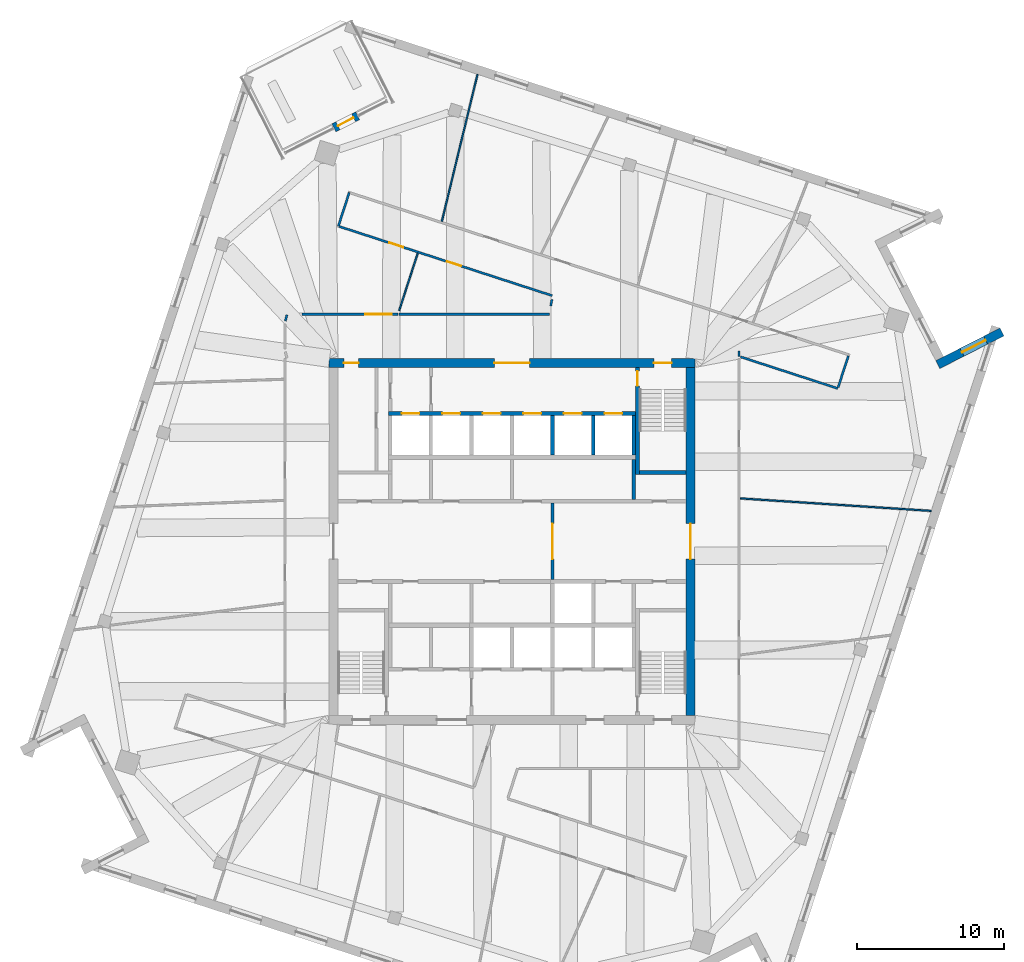
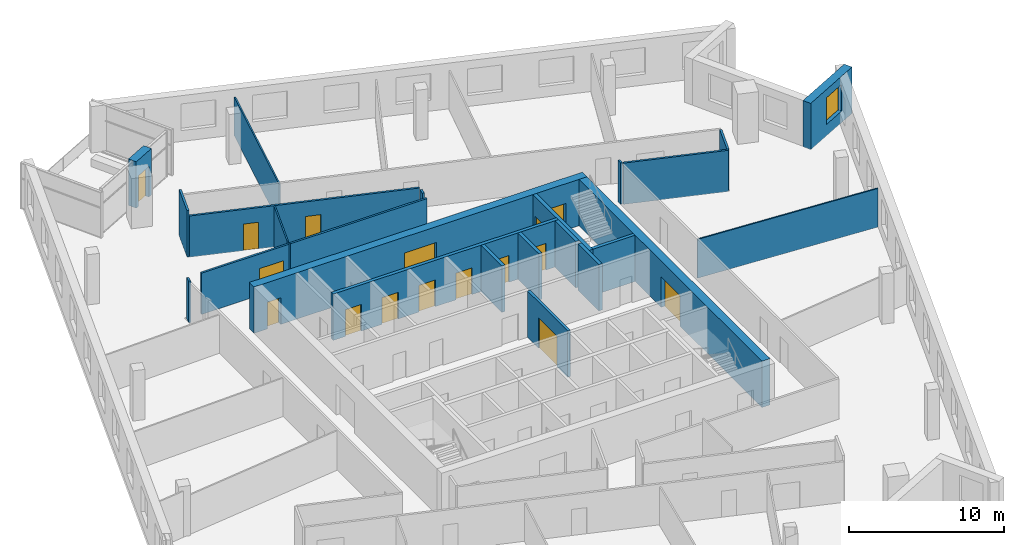
# One storey, part 10 of 13: 24 walls, 16 doors, 1 window, 17 openings.
"""IFC4 building model written with IfcOpenShell, lengths in metres."""

from ifc_helpers import new_model, si_unit, direction, frame, frame_2d, origin, place, context, subcontext, project, spatial, rectangle, extrude, material, layer, layer_set, type_object, element, fill, save


model = new_model("IFC4")

# Units and contexts
model_context = context("Model", 3, precision=1e-05, world=origin(), true_north=direction((0.0, 1.0)))
body_context = subcontext(model_context, "Body", "Model", "MODEL_VIEW")
ifc_project = project(units=[si_unit("LENGTHUNIT", "METRE"), si_unit("AREAUNIT", "SQUARE_METRE"), si_unit("VOLUMEUNIT", "CUBIC_METRE"), si_unit("PLANEANGLEUNIT", "RADIAN"), si_unit("MASSUNIT", "GRAM", prefix="KILO")], contexts=[model_context])

# Site, building, storey
site_placement = place(None, origin())
site = spatial("IfcSite", under=ifc_project, at=site_placement, CompositionType="ELEMENT")
building_placement = place(site_placement, origin())
building = spatial("IfcBuilding", under=site, at=building_placement, Name="Dilmun Exchange Tower", CompositionType="ELEMENT")
storey_placement = place(building_placement, frame((0.0, 0.0, 316.5)))
storey = spatial("IfcBuildingStorey", under=building, at=storey_placement, Name="L75", CompositionType="ELEMENT", Elevation=316.5)

# Wall, opening, door
ifc_material_1 = material(Name="Concrete C40/50", Category="concrete")
ifc_layer_1 = layer(ifc_material_1, 0.199951171875)
ifc_layer_set_1 = layer_set([ifc_layer_1], Name="Concrete C40/50")
wall_type_1 = type_object("IfcWallType", Name="Core partition wall 200", PredefinedType="PARTITIONING", material=ifc_layer_set_1)
wall_1_placement = place(storey_placement, frame((2.75, -2.594970703125, 0.0), z_axis=(0.0, 0.0, 1.0), x_axis=(0.0, 1.0, 0.0)))
wall_1 = element("IfcWall", 1, at=wall_1_placement, inside=storey, type_object=wall_type_1, Name="L75 core partition wall 12", PredefinedType="PARTITIONING", context=body_context, shape_type="SweptSolid", body=[
    extrude(rectangle(XDim=5.18994140625, YDim=0.199951171875, at=frame_2d((2.594970703125, 0.0))), origin(), (0.0, 0.0, 1.0), 3.64990234375),
])
opening_1_placement = place(wall_1_placement, frame((1.39501953125, 0.0, 0.0)))
opening_1 = element("IfcOpeningElement", 2, at=opening_1_placement, cuts=wall_1, Name="Opening CD1", PredefinedType="OPENING", context=body_context, shape_type="SweptSolid", body=[
    extrude(rectangle(XDim=2.39990234375, YDim=2.39990234375, at=frame_2d((1.199951171875, 1.199951171875))), frame((0.0, 0.10986328125, 0.0), z_axis=(0.0, -1.0, 0.0), x_axis=(1.0, 0.0, 0.0)), (0.0, 0.0, 1.0), 0.219970703125),
])
ifc_material_2 = material(Name="Fire-rated steel door set", Category="steel")
door_type_1 = type_object("IfcDoorType", Name="Core lobby door 2400x2400", OperationType="DOUBLE_DOOR_DOUBLE_SWING", PredefinedType="DOOR", material=ifc_material_2)
door_1_placement = place(opening_1_placement, origin())
door_1 = element("IfcDoor", 3, at=door_1_placement, inside=storey, type_object=door_type_1, Name="L75 door Lift lobby east", OperationType="DOUBLE_DOOR_DOUBLE_SWING", OverallHeight=2.39990234375, OverallWidth=2.39990234375, PredefinedType="DOOR", context=body_context, shape_type="SweptSolid", body=[
    extrude(rectangle(XDim=2.39990234375, YDim=2.39990234375, at=frame_2d((1.199951171875, 1.199951171875))), frame((0.0, 0.02490234375, 0.0), z_axis=(0.0, -1.0, 0.0), x_axis=(1.0, 0.0, 0.0)), (0.0, 0.0, 1.0), 0.050048828125),
])
fill(opening_1, door_1)

# Wall
ifc_layer_2 = layer(ifc_material_1, 0.25)
ifc_layer_set_2 = layer_set([ifc_layer_2], Name="Concrete C40/50")
wall_type_2 = type_object("IfcWallType", Name="Core partition wall 250", PredefinedType="PARTITIONING", material=ifc_layer_set_2)
wall_2_placement = place(storey_placement, frame((8.25, 2.85498046875, 0.0), z_axis=(0.0, 0.0, 1.0), x_axis=(0.0, 1.0, 0.0)))
element("IfcWall", 4, at=wall_2_placement, inside=storey, type_object=wall_type_2, Name="L75 core partition wall 17", PredefinedType="PARTITIONING", context=body_context, shape_type="SweptSolid", body=[
    extrude(rectangle(XDim=2.68994140625, YDim=0.25, at=frame_2d((1.344970703125, 0.0))), origin(), (0.0, 0.0, 1.0), 3.64990234375),
])

# Wall, openings, doors
ifc_material_3 = material(Name="Concrete C50/60", Category="concrete")
ifc_layer_3 = layer(ifc_material_3, 0.60009765625)
ifc_layer_set_3 = layer_set([ifc_layer_3], Name="Concrete C50/60")
wall_type_3 = type_object("IfcWallType", Name="Core shear wall 600 Concrete C50/60", PredefinedType="SHEAR", material=ifc_layer_set_3)
wall_3_placement = place(storey_placement, frame((-12.39990234375, 12.10009765625, 0.0), z_axis=(0.0, 0.0, 1.0), x_axis=(1.0, 0.0, 0.0)))
wall_3 = element("IfcWall", 5, at=wall_3_placement, inside=storey, type_object=wall_type_3, Name="L75 core shear wall N", PredefinedType="SHEAR", context=body_context, shape_type="SweptSolid", body=[
    extrude(rectangle(XDim=24.7998046875, YDim=0.60009765625, at=frame_2d((12.39990234375, 0.0))), origin(), (0.0, 0.0, 1.0), 3.64990234375),
])
opening_2_placement = place(wall_3_placement, frame((11.199951171875, 0.0, 0.0)))
opening_2 = element("IfcOpeningElement", 6, at=opening_2_placement, cuts=wall_3, Name="Opening CD1", PredefinedType="OPENING", context=body_context, shape_type="SweptSolid", body=[
    extrude(rectangle(XDim=2.39990234375, YDim=2.39990234375, at=frame_2d((1.199951171875, 1.199951171875))), frame((0.0, 0.31005859375, 0.0), z_axis=(0.0, -1.0, 0.0), x_axis=(1.0, 0.0, 0.0)), (0.0, 0.0, 1.0), 0.6201171875),
])
opening_3_placement = place(wall_3_placement, frame((22.02490234375, 0.0, 0.0)))
opening_3 = element("IfcOpeningElement", 7, at=opening_3_placement, cuts=wall_3, Name="Opening CD3", PredefinedType="OPENING", context=body_context, shape_type="SweptSolid", body=[
    extrude(rectangle(XDim=1.199951171875, YDim=2.10009765625, at=frame_2d((0.60009765625, 1.050048828125))), frame((0.0, 0.31005859375, 0.0), z_axis=(0.0, -1.0, 0.0), x_axis=(1.0, 0.0, 0.0)), (0.0, 0.0, 1.0), 0.6201171875),
])
opening_4_placement = place(wall_3_placement, frame((1.0, 0.0, 0.0)))
opening_4 = element("IfcOpeningElement", 8, at=opening_4_placement, cuts=wall_3, Name="Opening CD4", PredefinedType="OPENING", context=body_context, shape_type="SweptSolid", body=[
    extrude(rectangle(XDim=1.0, YDim=2.10009765625, at=frame_2d((0.5, 1.050048828125))), frame((0.0, 0.31005859375, 0.0), z_axis=(0.0, -1.0, 0.0), x_axis=(1.0, 0.0, 0.0)), (0.0, 0.0, 1.0), 0.6201171875),
])
door_2_placement = place(opening_2_placement, origin())
door_2 = element("IfcDoor", 9, at=door_2_placement, inside=storey, type_object=door_type_1, Name="L75 door North lift lobby", OperationType="SINGLE_SWING_LEFT", OverallHeight=2.39990234375, OverallWidth=2.39990234375, PredefinedType="DOOR", context=body_context, shape_type="SweptSolid", body=[
    extrude(rectangle(XDim=2.39990234375, YDim=2.39990234375, at=frame_2d((1.199951171875, 1.199951171875))), frame((0.0, 0.02490234375, 0.0), z_axis=(0.0, -1.0, 0.0), x_axis=(1.0, 0.0, 0.0)), (0.0, 0.0, 1.0), 0.050048828125),
])
fill(opening_2, door_2)
door_type_2 = type_object("IfcDoorType", Name="Core room door 1000x2100", OperationType="SINGLE_SWING_LEFT", PredefinedType="DOOR", material=ifc_material_2)
door_3_placement = place(opening_4_placement, origin())
door_3 = element("IfcDoor", 10, at=door_3_placement, inside=storey, type_object=door_type_2, Name="L75 door North-west core rooms", OperationType="SINGLE_SWING_LEFT", OverallHeight=2.10009765625, OverallWidth=1.0, PredefinedType="DOOR", context=body_context, shape_type="SweptSolid", body=[
    extrude(rectangle(XDim=1.0, YDim=2.10009765625, at=frame_2d((0.5, 1.050048828125))), frame((0.0, 0.02490234375, 0.0), z_axis=(0.0, -1.0, 0.0), x_axis=(1.0, 0.0, 0.0)), (0.0, 0.0, 1.0), 0.050048828125),
])
fill(opening_4, door_3)
door_type_3 = type_object("IfcDoorType", Name="Stair exit door 1200x2100", OperationType="SINGLE_SWING_LEFT", PredefinedType="DOOR", material=ifc_material_2)
door_4_placement = place(opening_3_placement, origin())
door_4 = element("IfcDoor", 11, at=door_4_placement, inside=storey, type_object=door_type_3, Name="L75 door Stair ST1", OperationType="SINGLE_SWING_LEFT", OverallHeight=2.10009765625, OverallWidth=1.199951171875, PredefinedType="DOOR", context=body_context, shape_type="SweptSolid", body=[
    extrude(rectangle(XDim=1.199951171875, YDim=2.10009765625, at=frame_2d((0.60009765625, 1.050048828125))), frame((0.0, 0.02490234375, 0.0), z_axis=(0.0, -1.0, 0.0), x_axis=(1.0, 0.0, 0.0)), (0.0, 0.0, 1.0), 0.050048828125),
])
fill(opening_3, door_4)

# Wall, opening, door
wall_4_placement = place(storey_placement, frame((12.10009765625, -11.800048828125, 0.0), z_axis=(0.0, 0.0, 1.0), x_axis=(0.0, 1.0, 0.0)))
wall_4 = element("IfcWall", 12, at=wall_4_placement, inside=storey, type_object=wall_type_3, Name="L75 core shear wall E", PredefinedType="SHEAR", context=body_context, shape_type="SweptSolid", body=[
    extrude(rectangle(XDim=23.60009765625, YDim=0.60009765625, at=frame_2d((11.800048828125, 0.0))), origin(), (0.0, 0.0, 1.0), 3.64990234375),
])
opening_5_placement = place(wall_4_placement, frame((10.60009765625, 0.0, 0.0)))
opening_5 = element("IfcOpeningElement", 13, at=opening_5_placement, cuts=wall_4, Name="Opening CD1", PredefinedType="OPENING", context=body_context, shape_type="SweptSolid", body=[
    extrude(rectangle(XDim=2.39990234375, YDim=2.39990234375, at=frame_2d((1.199951171875, 1.199951171875))), frame((0.0, 0.31005859375, 0.0), z_axis=(0.0, -1.0, 0.0), x_axis=(1.0, 0.0, 0.0)), (0.0, 0.0, 1.0), 0.6201171875),
])
door_5_placement = place(opening_5_placement, origin())
door_5 = element("IfcDoor", 14, at=door_5_placement, inside=storey, type_object=door_type_1, Name="L75 door Central lift lobby", OperationType="SINGLE_SWING_LEFT", OverallHeight=2.39990234375, OverallWidth=2.39990234375, PredefinedType="DOOR", context=body_context, shape_type="SweptSolid", body=[
    extrude(rectangle(XDim=2.39990234375, YDim=2.39990234375, at=frame_2d((1.199951171875, 1.199951171875))), frame((0.0, 0.02490234375, 0.0), z_axis=(0.0, -1.0, 0.0), x_axis=(1.0, 0.0, 0.0)), (0.0, 0.0, 1.0), 0.050048828125),
])
fill(opening_5, door_5)

# Wall
ifc_material_4 = material(Name="Corridor wall 150")
ifc_layer_4 = layer(ifc_material_4, 0.14990234375)
ifc_layer_set_4 = layer_set([ifc_layer_4], Name="Corridor wall 150")
wall_type_4 = type_object("IfcWallType", Name="Corridor wall 150", PredefinedType="PARTITIONING", material=ifc_layer_set_4)
wall_5_placement = place(storey_placement, frame((-15.263427734375, 15.359619140625, 0.0), z_axis=(0.0, 0.0, 1.0), x_axis=(-0.250064963452, -0.968229060736, 0.0)))
element("IfcWall", 15, at=wall_5_placement, inside=storey, type_object=wall_type_4, Name="Corridor wall", PredefinedType="PARTITIONING", context=body_context, shape_type="SweptSolid", body=[
    extrude(rectangle(XDim=0.4345703125, YDim=0.14990234375, at=frame_2d((0.21728515625, 0.0))), origin(), (0.0, 0.0, 1.0), 3.25),
])

# Wall, opening, door
wall_6_placement = place(storey_placement, frame((-14.250244140625, 15.39990234375, 0.0), z_axis=(0.0, 0.0, 1.0), x_axis=(1.0, 0.0, 0.0)))
wall_6 = element("IfcWall", 16, at=wall_6_placement, inside=storey, type_object=wall_type_4, Name="Corridor wall", PredefinedType="PARTITIONING", context=body_context, shape_type="SweptSolid", body=[
    extrude(rectangle(XDim=6.51513671875, YDim=0.14990234375, at=frame_2d((3.257568359375, 0.0))), origin(), (0.0, 0.0, 1.0), 3.25),
])
opening_6_placement = place(wall_6_placement, frame((4.300048828125, 0.0, 0.0)))
opening_6 = element("IfcOpeningElement", 17, at=opening_6_placement, cuts=wall_6, Name="Opening TF75-D06", PredefinedType="OPENING", context=body_context, shape_type="SweptSolid", body=[
    extrude(rectangle(XDim=1.800048828125, YDim=2.10009765625, at=frame_2d((0.89990234375, 1.050048828125))), frame((0.0, 0.0849609375, 0.0), z_axis=(0.0, -1.0, 0.0), x_axis=(1.0, 0.0, 0.0)), (0.0, 0.0, 1.0), 0.169921875),
])
ifc_material_5 = material(Name="Fire door pair 1800 x 2100")
door_type_4 = type_object("IfcDoorType", Name="Fire door pair 1800 x 2100", OperationType="NOTDEFINED", PredefinedType="DOOR", material=ifc_material_5)
door_6_placement = place(opening_6_placement, origin())
door_6 = element("IfcDoor", 18, at=door_6_placement, inside=storey, type_object=door_type_4, Name="Door TF75-D06", OperationType="DOUBLE_DOOR_SINGLE_SWING", OverallHeight=2.10009765625, OverallWidth=1.800048828125, PredefinedType="DOOR", context=body_context, shape_type="SweptSolid", body=[
    extrude(rectangle(XDim=1.800048828125, YDim=2.10009765625, at=frame_2d((0.89990234375, 1.050048828125))), frame((0.0, 0.02490234375, 0.0), z_axis=(0.0, -1.0, 0.0), x_axis=(1.0, 0.0, 0.0)), (0.0, 0.0, 1.0), 0.050048828125),
])
fill(opening_6, door_6)

# Wall
wall_7_placement = place(storey_placement, frame((-11.777099609375, 21.375, 0.0), z_axis=(0.0, 0.0, 1.0), x_axis=(0.309171157328, 0.951006411901, 0.0)))
element("IfcWall", 19, at=wall_7_placement, inside=storey, type_object=wall_type_4, Name="Corridor wall", PredefinedType="PARTITIONING", context=body_context, shape_type="SweptSolid", body=[
    extrude(rectangle(XDim=2.400634765625, YDim=0.14990234375, at=frame_2d((1.2001953125, 0.0))), origin(), (0.0, 0.0, 1.0), 3.64990234375),
])

# Wall, openings, doors
wall_8_placement = place(storey_placement, frame((-11.705810546875, 21.351806640625, 0.0), z_axis=(0.0, 0.0, 1.0), x_axis=(0.951071532065, -0.308970776767, 0.0)))
wall_8 = element("IfcWall", 20, at=wall_8_placement, inside=storey, type_object=wall_type_4, Name="Corridor wall", PredefinedType="PARTITIONING", context=body_context, shape_type="SweptSolid", body=[
    extrude(rectangle(XDim=15.178466796875, YDim=0.14990234375, at=frame_2d((7.58935546875, 0.0))), origin(), (0.0, 0.0, 1.0), 3.25),
])
opening_7_placement = place(wall_8_placement, frame((3.550048828125, 0.0, 0.0)))
opening_7 = element("IfcOpeningElement", 21, at=opening_7_placement, cuts=wall_8, Name="Opening TF75-D07", PredefinedType="OPENING", context=body_context, shape_type="SweptSolid", body=[
    extrude(rectangle(XDim=1.0, YDim=2.10009765625, at=frame_2d((0.5, 1.050048828125))), frame((0.0, 0.0849609375, 0.0), z_axis=(0.0, -1.0, 0.0), x_axis=(1.0, 0.0, 0.0)), (0.0, 0.0, 1.0), 0.169921875),
])
opening_8_placement = place(wall_8_placement, frame((7.665283203125, 0.0, 0.0)))
opening_8 = element("IfcOpeningElement", 22, at=opening_8_placement, cuts=wall_8, Name="Opening TF75-D10", PredefinedType="OPENING", context=body_context, shape_type="SweptSolid", body=[
    extrude(rectangle(XDim=1.0, YDim=2.10009765625, at=frame_2d((0.5, 1.050048828125))), frame((0.0, 0.0849609375, 0.0), z_axis=(0.0, -1.0, 0.0), x_axis=(1.0, 0.0, 0.0)), (0.0, 0.0, 1.0), 0.169921875),
])
ifc_material_6 = material(Name="Fire door 1000 x 2100")
door_type_5 = type_object("IfcDoorType", Name="Fire door 1000 x 2100", OperationType="NOTDEFINED", PredefinedType="DOOR", material=ifc_material_6)
door_7_placement = place(opening_7_placement, frame((1.0, 0.0, 0.0), z_axis=(0.0, 0.0, 1.0), x_axis=(-1.0, 0.0, 0.0)))
door_7 = element("IfcDoor", 23, at=door_7_placement, inside=storey, type_object=door_type_5, Name="Door TF75-D07", OperationType="SINGLE_SWING_RIGHT", OverallHeight=2.10009765625, OverallWidth=1.0, PredefinedType="DOOR", context=body_context, shape_type="SweptSolid", body=[
    extrude(rectangle(XDim=1.0, YDim=2.10009765625, at=frame_2d((0.5, 1.050048828125))), frame((0.0, 0.02490234375, 0.0), z_axis=(0.0, -1.0, 0.0), x_axis=(1.0, 0.0, 0.0)), (0.0, 0.0, 1.0), 0.050048828125),
])
fill(opening_7, door_7)
door_8_placement = place(opening_8_placement, frame((1.0, 0.0, 0.0), z_axis=(0.0, 0.0, 1.0), x_axis=(-1.0, 0.0, 0.0)))
door_8 = element("IfcDoor", 24, at=door_8_placement, inside=storey, type_object=door_type_5, Name="Door TF75-D10", OperationType="SINGLE_SWING_RIGHT", OverallHeight=2.10009765625, OverallWidth=1.0, PredefinedType="DOOR", context=body_context, shape_type="SweptSolid", body=[
    extrude(rectangle(XDim=1.0, YDim=2.10009765625, at=frame_2d((0.5, 1.050048828125))), frame((0.0, 0.02490234375, 0.0), z_axis=(0.0, -1.0, 0.0), x_axis=(1.0, 0.0, 0.0)), (0.0, 0.0, 1.0), 0.050048828125),
])
fill(opening_8, door_8)

# Walls
wall_9_placement = place(storey_placement, frame((-7.64990234375, 15.39990234375, 0.0), z_axis=(0.0, 0.0, 1.0), x_axis=(1.0, 0.0, 0.0)))
element("IfcWall", 25, at=wall_9_placement, inside=storey, type_object=wall_type_4, Name="Corridor wall", PredefinedType="PARTITIONING", context=body_context, shape_type="SweptSolid", body=[
    extrude(rectangle(XDim=10.179931640625, YDim=0.14990234375, at=frame_2d((5.08984375, 0.0))), origin(), (0.0, 0.0, 1.0), 3.25),
])
wall_10_placement = place(storey_placement, frame((2.70751953125, 16.400390625, 0.0), z_axis=(0.0, 0.0, 1.0), x_axis=(-0.193004252624, -0.981197920131, 0.0)))
element("IfcWall", 26, at=wall_10_placement, inside=storey, type_object=wall_type_4, Name="Corridor wall", PredefinedType="PARTITIONING", context=body_context, shape_type="SweptSolid", body=[
    extrude(rectangle(XDim=0.437744140625, YDim=0.14990234375, at=frame_2d((0.21875, 0.0))), origin(), (0.0, 0.0, 1.0), 3.25),
])
wall_11_placement = place(storey_placement, frame((15.4033203125, 12.89990234375, 0.0), z_axis=(0.0, 0.0, 1.0), x_axis=(-0.006877416439, -0.999976350292, 0.0)))
element("IfcWall", 27, at=wall_11_placement, inside=storey, type_object=wall_type_4, Name="Corridor wall", PredefinedType="PARTITIONING", context=body_context, shape_type="SweptSolid", body=[
    extrude(rectangle(XDim=0.35498046875, YDim=0.14990234375, at=frame_2d((0.177490234375, 0.0))), origin(), (0.0, 0.0, 1.0), 3.25),
])
wall_12_placement = place(storey_placement, frame((15.49853515625, 12.51318359375, 0.0), z_axis=(0.0, 0.0, 1.0), x_axis=(0.951067964753, -0.308981757424, 0.0)))
element("IfcWall", 28, at=wall_12_placement, inside=storey, type_object=wall_type_4, Name="Corridor wall", PredefinedType="PARTITIONING", context=body_context, shape_type="SweptSolid", body=[
    extrude(rectangle(XDim=6.9326171875, YDim=0.14990234375, at=frame_2d((3.46630859375, 0.0))), origin(), (0.0, 0.0, 1.0), 3.25),
])
wall_13_placement = place(storey_placement, frame((22.115234375, 10.4423828125, 0.0), z_axis=(0.0, 0.0, 1.0), x_axis=(0.309186681348, 0.951001364919, 0.0)))
element("IfcWall", 29, at=wall_13_placement, inside=storey, type_object=wall_type_4, Name="Corridor wall", PredefinedType="PARTITIONING", context=body_context, shape_type="SweptSolid", body=[
    extrude(rectangle(XDim=2.24951171875, YDim=0.14990234375, at=frame_2d((1.124755859375, 0.0))), origin(), (0.0, 0.0, 1.0), 3.25),
])

# Wall, openings, doors
ifc_layer_5 = layer(ifc_material_1, 0.25)
ifc_layer_set_5 = layer_set([ifc_layer_5], Name="Concrete C40/50")
wall_type_5 = type_object("IfcWallType", Name="Lift shaft wall 250", PredefinedType="SOLIDWALL", material=ifc_layer_set_5)
wall_14_placement = place(storey_placement, frame((-8.375, 8.675048828125, 0.0), z_axis=(0.0, 0.0, 1.0), x_axis=(1.0, 0.0, 0.0)))
wall_14 = element("IfcWall", 30, at=wall_14_placement, inside=storey, type_object=wall_type_5, Name="L75 lift shaft front wall N2", PredefinedType="SOLIDWALL", context=body_context, shape_type="SweptSolid", body=[
    extrude(rectangle(XDim=16.75, YDim=0.25, at=frame_2d((8.375, 0.0))), origin(), (0.0, 0.0, 1.0), 3.64990234375),
])
opening_9_placement = place(wall_14_placement, frame((0.89990234375, 0.0, 0.0)))
opening_9 = element("IfcOpeningElement", 31, at=opening_9_placement, cuts=wall_14, Name="Opening LD", PredefinedType="OPENING", context=body_context, shape_type="SweptSolid", body=[
    extrude(rectangle(XDim=1.199951171875, YDim=2.10009765625, at=frame_2d((0.60009765625, 1.050048828125))), frame((0.0, 0.135009765625, 0.0), z_axis=(0.0, -1.0, 0.0), x_axis=(1.0, 0.0, 0.0)), (0.0, 0.0, 1.0), 0.27001953125),
])
opening_10_placement = place(wall_14_placement, frame((3.64990234375, 0.0, 0.0)))
opening_10 = element("IfcOpeningElement", 32, at=opening_10_placement, cuts=wall_14, Name="Opening LD", PredefinedType="OPENING", context=body_context, shape_type="SweptSolid", body=[
    extrude(rectangle(XDim=1.199951171875, YDim=2.10009765625, at=frame_2d((0.60009765625, 1.050048828125))), frame((0.0, 0.135009765625, 0.0), z_axis=(0.0, -1.0, 0.0), x_axis=(1.0, 0.0, 0.0)), (0.0, 0.0, 1.0), 0.27001953125),
])
opening_11_placement = place(wall_14_placement, frame((6.39990234375, 0.0, 0.0)))
opening_11 = element("IfcOpeningElement", 33, at=opening_11_placement, cuts=wall_14, Name="Opening LD", PredefinedType="OPENING", context=body_context, shape_type="SweptSolid", body=[
    extrude(rectangle(XDim=1.199951171875, YDim=2.10009765625, at=frame_2d((0.60009765625, 1.050048828125))), frame((0.0, 0.135009765625, 0.0), z_axis=(0.0, -1.0, 0.0), x_axis=(1.0, 0.0, 0.0)), (0.0, 0.0, 1.0), 0.27001953125),
])
opening_12_placement = place(wall_14_placement, frame((9.14990234375, 0.0, 0.0)))
opening_12 = element("IfcOpeningElement", 34, at=opening_12_placement, cuts=wall_14, Name="Opening LD", PredefinedType="OPENING", context=body_context, shape_type="SweptSolid", body=[
    extrude(rectangle(XDim=1.199951171875, YDim=2.10009765625, at=frame_2d((0.60009765625, 1.050048828125))), frame((0.0, 0.135009765625, 0.0), z_axis=(0.0, -1.0, 0.0), x_axis=(1.0, 0.0, 0.0)), (0.0, 0.0, 1.0), 0.27001953125),
])
opening_13_placement = place(wall_14_placement, frame((11.89990234375, 0.0, 0.0)))
opening_13 = element("IfcOpeningElement", 35, at=opening_13_placement, cuts=wall_14, Name="Opening LD", PredefinedType="OPENING", context=body_context, shape_type="SweptSolid", body=[
    extrude(rectangle(XDim=1.199951171875, YDim=2.10009765625, at=frame_2d((0.60009765625, 1.050048828125))), frame((0.0, 0.135009765625, 0.0), z_axis=(0.0, -1.0, 0.0), x_axis=(1.0, 0.0, 0.0)), (0.0, 0.0, 1.0), 0.27001953125),
])
opening_14_placement = place(wall_14_placement, frame((14.64990234375, 0.0, 0.0)))
opening_14 = element("IfcOpeningElement", 36, at=opening_14_placement, cuts=wall_14, Name="Opening LD", PredefinedType="OPENING", context=body_context, shape_type="SweptSolid", body=[
    extrude(rectangle(XDim=1.199951171875, YDim=2.10009765625, at=frame_2d((0.60009765625, 1.050048828125))), frame((0.0, 0.135009765625, 0.0), z_axis=(0.0, -1.0, 0.0), x_axis=(1.0, 0.0, 0.0)), (0.0, 0.0, 1.0), 0.27001953125),
])
door_type_6 = type_object("IfcDoorType", Name="Lift landing door 1200x2100", OperationType="DOUBLE_DOOR_SLIDING", PredefinedType="DOOR", material=ifc_material_2)
door_9_placement = place(opening_9_placement, origin())
door_9 = element("IfcDoor", 37, at=door_9_placement, inside=storey, type_object=door_type_6, Name="L75 landing door HR1", OperationType="DOUBLE_DOOR_SLIDING", OverallHeight=2.10009765625, OverallWidth=1.199951171875, PredefinedType="DOOR", context=body_context, shape_type="SweptSolid", body=[
    extrude(rectangle(XDim=1.199951171875, YDim=2.10009765625, at=frame_2d((0.60009765625, 1.050048828125))), frame((0.0, 0.02490234375, 0.0), z_axis=(0.0, -1.0, 0.0), x_axis=(1.0, 0.0, 0.0)), (0.0, 0.0, 1.0), 0.050048828125),
])
fill(opening_9, door_9)
door_10_placement = place(opening_10_placement, origin())
door_10 = element("IfcDoor", 38, at=door_10_placement, inside=storey, type_object=door_type_6, Name="L75 landing door HR2", OperationType="DOUBLE_DOOR_SLIDING", OverallHeight=2.10009765625, OverallWidth=1.199951171875, PredefinedType="DOOR", context=body_context, shape_type="SweptSolid", body=[
    extrude(rectangle(XDim=1.199951171875, YDim=2.10009765625, at=frame_2d((0.60009765625, 1.050048828125))), frame((0.0, 0.02490234375, 0.0), z_axis=(0.0, -1.0, 0.0), x_axis=(1.0, 0.0, 0.0)), (0.0, 0.0, 1.0), 0.050048828125),
])
fill(opening_10, door_10)
door_11_placement = place(opening_11_placement, origin())
door_11 = element("IfcDoor", 39, at=door_11_placement, inside=storey, type_object=door_type_6, Name="L75 landing door HR3", OperationType="DOUBLE_DOOR_SLIDING", OverallHeight=2.10009765625, OverallWidth=1.199951171875, PredefinedType="DOOR", context=body_context, shape_type="SweptSolid", body=[
    extrude(rectangle(XDim=1.199951171875, YDim=2.10009765625, at=frame_2d((0.60009765625, 1.050048828125))), frame((0.0, 0.02490234375, 0.0), z_axis=(0.0, -1.0, 0.0), x_axis=(1.0, 0.0, 0.0)), (0.0, 0.0, 1.0), 0.050048828125),
])
fill(opening_11, door_11)
door_12_placement = place(opening_12_placement, origin())
door_12 = element("IfcDoor", 40, at=door_12_placement, inside=storey, type_object=door_type_6, Name="L75 landing door HR4", OperationType="DOUBLE_DOOR_SLIDING", OverallHeight=2.10009765625, OverallWidth=1.199951171875, PredefinedType="DOOR", context=body_context, shape_type="SweptSolid", body=[
    extrude(rectangle(XDim=1.199951171875, YDim=2.10009765625, at=frame_2d((0.60009765625, 1.050048828125))), frame((0.0, 0.02490234375, 0.0), z_axis=(0.0, -1.0, 0.0), x_axis=(1.0, 0.0, 0.0)), (0.0, 0.0, 1.0), 0.050048828125),
])
fill(opening_12, door_12)
door_13_placement = place(opening_13_placement, origin())
door_13 = element("IfcDoor", 41, at=door_13_placement, inside=storey, type_object=door_type_6, Name="L75 landing door HR5", OperationType="DOUBLE_DOOR_SLIDING", OverallHeight=2.10009765625, OverallWidth=1.199951171875, PredefinedType="DOOR", context=body_context, shape_type="SweptSolid", body=[
    extrude(rectangle(XDim=1.199951171875, YDim=2.10009765625, at=frame_2d((0.60009765625, 1.050048828125))), frame((0.0, 0.02490234375, 0.0), z_axis=(0.0, -1.0, 0.0), x_axis=(1.0, 0.0, 0.0)), (0.0, 0.0, 1.0), 0.050048828125),
])
fill(opening_13, door_13)
door_14_placement = place(opening_14_placement, origin())
door_14 = element("IfcDoor", 42, at=door_14_placement, inside=storey, type_object=door_type_6, Name="L75 landing door HR6", OperationType="DOUBLE_DOOR_SLIDING", OverallHeight=2.10009765625, OverallWidth=1.199951171875, PredefinedType="DOOR", context=body_context, shape_type="SweptSolid", body=[
    extrude(rectangle(XDim=1.199951171875, YDim=2.10009765625, at=frame_2d((0.60009765625, 1.050048828125))), frame((0.0, 0.02490234375, 0.0), z_axis=(0.0, -1.0, 0.0), x_axis=(1.0, 0.0, 0.0)), (0.0, 0.0, 1.0), 0.050048828125),
])
fill(opening_14, door_14)

# Walls
for number, where, z_axis, x_axis, name in (
    (43, (2.75, 5.85009765625, 0.0), (0.0, 0.0, 1.0), (0.0, 1.0, 0.0), "L75 lift shaft divider N24"),
    (44, (5.5, 5.85009765625, 0.0), (0.0, 0.0, 1.0), (0.0, 1.0, 0.0), "L75 lift shaft divider N25"),
    (45, (8.25, 5.85009765625, 0.0), (0.0, 0.0, 1.0), (0.0, 1.0, 0.0), "L75 lift shaft divider N26"),
):
    element("IfcWall", number, at=place(storey_placement, frame(where, z_axis=z_axis, x_axis=x_axis)), inside=storey, type_object=wall_type_5, Name=name, PredefinedType="SOLIDWALL", context=body_context, shape_type="SweptSolid", body=[
        extrude(rectangle(XDim=2.699951171875, YDim=0.25, at=frame_2d((1.35009765625, 0.0))), origin(), (0.0, 0.0, 1.0), 3.64990234375),
    ])
ifc_material_7 = material(Name="Partition 100")
ifc_layer_6 = layer(ifc_material_7, 0.10009765625)
ifc_layer_set_6 = layer_set([ifc_layer_6], Name="Partition 100")
wall_type_6 = type_object("IfcWallType", Name="Partition 100", PredefinedType="PARTITIONING", material=ifc_layer_set_6)
wall_15_placement = place(storey_placement, frame((-7.64990234375, 15.662109375, 0.0), z_axis=(0.0, 0.0, 1.0), x_axis=(0.308990083735, 0.951065259671, 0.0)))
element("IfcWall", 46, at=wall_15_placement, inside=storey, type_object=wall_type_6, Name="Partition", PredefinedType="PARTITIONING", context=body_context, shape_type="SweptSolid", body=[
    extrude(rectangle(XDim=4.083251953125, YDim=0.10009765625, at=frame_2d((2.04150390625, 0.0))), origin(), (0.0, 0.0, 1.0), 3.25),
])
wall_16_placement = place(storey_placement, frame((-4.75732421875, 21.70068359375, 0.0), z_axis=(0.0, 0.0, 1.0), x_axis=(0.235614328577, 0.971846638194, 0.0)))
element("IfcWall", 47, at=wall_16_placement, inside=storey, type_object=wall_type_6, Name="Partition", PredefinedType="PARTITIONING", context=body_context, shape_type="SweptSolid", body=[
    extrude(rectangle(XDim=10.25927734375, YDim=0.10009765625, at=frame_2d((5.129638671875, 0.0))), origin(), (0.0, 0.0, 1.0), 3.050048828125),
])
wall_17_placement = place(storey_placement, frame((15.478271484375, 2.916015625, 0.0), z_axis=(0.0, 0.0, 1.0), x_axis=(0.99786091406, -0.065372748079, 0.0)))
element("IfcWall", 48, at=wall_17_placement, inside=storey, type_object=wall_type_6, Name="Partition", PredefinedType="PARTITIONING", context=body_context, shape_type="SweptSolid", body=[
    extrude(rectangle(XDim=12.977783203125, YDim=0.10009765625, at=frame_2d((6.48876953125, 0.0))), origin(), (0.0, 0.0, 1.0), 3.050048828125),
])

# Wall, opening, window
ifc_material_8 = material(Name="Precast concrete C50/60", Category="concrete")
ifc_layer_7 = layer(ifc_material_8, 0.60009765625)
ifc_layer_set_7 = layer_set([ifc_layer_7], Name="Precast concrete C50/60")
wall_type_7 = type_object("IfcWallType", Name="Precast stone-clad wall 600", PredefinedType="STANDARD", material=ifc_layer_set_7)
wall_18_placement = place(storey_placement, frame((33.227783203125, 14.20458984375, 0.0), z_axis=(0.0, 0.0, 1.0), x_axis=(-0.891013179829, -0.453977437073, 0.0)))
wall_18 = element("IfcWall", 49, at=wall_18_placement, inside=storey, type_object=wall_type_7, Name="Facade wall L75-12", PredefinedType="STANDARD", context=body_context, shape_type="SweptSolid", body=[
    extrude(rectangle(XDim=4.88525390625, YDim=0.60009765625, at=frame_2d((2.442626953125, 0.0))), origin(), (0.0, 0.0, 1.0), 3.64990234375),
])
opening_15_placement = place(wall_18_placement, frame((1.242919921875, 0.0, 0.89990234375)))
opening_15 = element("IfcOpeningElement", 50, at=opening_15_placement, cuts=wall_18, Name="Opening W180-210", PredefinedType="OPENING", context=body_context, shape_type="SweptSolid", body=[
    extrude(rectangle(XDim=1.800048828125, YDim=2.10009765625, at=frame_2d((0.89990234375, 1.050048828125))), frame((0.0, 0.31005859375, 0.0), z_axis=(0.0, -1.0, 0.0), x_axis=(1.0, 0.0, 0.0)), (0.0, 0.0, 1.0), 0.6201171875),
])
ifc_material_9 = material(Name="Clear low-emissivity glass in aluminium frame", Category="aluminium")
window_type = type_object("IfcWindowType", Name="Punched window 1800 x 2100", PartitioningType="DOUBLE_PANEL_VERTICAL", PredefinedType="WINDOW", material=ifc_material_9)
window_placement = place(opening_15_placement, origin())
window = element("IfcWindow", 51, at=window_placement, inside=storey, type_object=window_type, Name="Window 13.1", OverallHeight=2.10009765625, OverallWidth=1.800048828125, PartitioningType="SINGLE_PANEL", PredefinedType="WINDOW", context=body_context, shape_type="SweptSolid", body=[
    extrude(rectangle(XDim=1.800048828125, YDim=2.10009765625, at=frame_2d((0.89990234375, 1.050048828125))), frame((0.0, 0.030029296875, 0.0), z_axis=(0.0, -1.0, 0.0), x_axis=(1.0, 0.0, 0.0)), (0.0, 0.0, 1.0), 0.06005859375),
])
fill(opening_15, window)

# Wall, opening, door
wall_19_placement = place(storey_placement, frame((-10.47265625, 28.860595703125, 0.0), z_axis=(0.0, 0.0, 1.0), x_axis=(-0.891010511763, -0.453982673599, 0.0)))
wall_19 = element("IfcWall", 52, at=wall_19_placement, inside=storey, type_object=wall_type_7, Name="Facade wall L75-01-D", PredefinedType="STANDARD", context=body_context, shape_type="SweptSolid", body=[
    extrude(rectangle(XDim=1.800048828125, YDim=0.60009765625, at=frame_2d((0.89990234375, 0.0))), origin(), (0.0, 0.0, 1.0), 3.64990234375),
])
opening_16_placement = place(wall_19_placement, frame((0.300048828125, 0.0, 0.0)))
opening_16 = element("IfcOpeningElement", 53, at=opening_16_placement, cuts=wall_19, Name="Opening GD-1", PredefinedType="OPENING", context=body_context, shape_type="SweptSolid", body=[
    extrude(rectangle(XDim=1.199951171875, YDim=2.39990234375, at=frame_2d((0.60009765625, 1.199951171875))), frame((0.0, 0.31005859375, 0.0), z_axis=(0.0, -1.0, 0.0), x_axis=(1.0, 0.0, 0.0)), (0.0, 0.0, 1.0), 0.6201171875),
])
door_type_7 = type_object("IfcDoorType", Name="Glazed garden door 1200 x 2400", OperationType="SINGLE_SWING_LEFT", PredefinedType="DOOR", material=ifc_material_9)
door_15_placement = place(opening_16_placement, origin())
door_15 = element("IfcDoor", 54, at=door_15_placement, inside=storey, type_object=door_type_7, Name="Garden terrace door", OperationType="SINGLE_SWING_LEFT", OverallHeight=2.39990234375, OverallWidth=1.199951171875, PredefinedType="DOOR", context=body_context, shape_type="SweptSolid", body=[
    extrude(rectangle(XDim=1.199951171875, YDim=2.39990234375, at=frame_2d((0.60009765625, 1.199951171875))), frame((0.0, 0.02490234375, 0.0), z_axis=(0.0, -1.0, 0.0), x_axis=(1.0, 0.0, 0.0)), (0.0, 0.0, 1.0), 0.050048828125),
])
fill(opening_16, door_15)

# Wall
ifc_layer_8 = layer(ifc_material_1, 0.25)
ifc_layer_set_8 = layer_set([ifc_layer_8], Name="Concrete C40/50")
wall_type_8 = type_object("IfcWallType", Name="Stair end wall 250", PredefinedType="SOLIDWALL", material=ifc_layer_set_8)
wall_20_placement = place(storey_placement, frame((8.64990234375, 4.675048828125, 0.0), z_axis=(0.0, 0.0, 1.0), x_axis=(1.0, 0.0, 0.0)))
element("IfcWall", 55, at=wall_20_placement, inside=storey, type_object=wall_type_8, Name="L75 ST1 far wall", PredefinedType="SOLIDWALL", context=body_context, shape_type="SweptSolid", body=[
    extrude(rectangle(XDim=3.150146484375, YDim=0.25, at=frame_2d((1.5751953125, 0.0))), origin(), (0.0, 0.0, 1.0), 3.64990234375),
])

# Wall, opening, door
ifc_layer_9 = layer(ifc_material_1, 0.27490234375)
ifc_layer_set_9 = layer_set([ifc_layer_9], Name="Concrete C40/50")
wall_type_9 = type_object("IfcWallType", Name="Stair wall 275", PredefinedType="SOLIDWALL", material=ifc_layer_set_9)
wall_21_placement = place(storey_placement, frame((8.512451171875, 4.550048828125, 0.0), z_axis=(0.0, 0.0, 1.0), x_axis=(0.0, 1.0, 0.0)))
wall_21 = element("IfcWall", 56, at=wall_21_placement, inside=storey, type_object=wall_type_9, Name="L75 ST1 wall to lift block", PredefinedType="SOLIDWALL", context=body_context, shape_type="SweptSolid", body=[
    extrude(rectangle(XDim=7.25, YDim=0.27490234375, at=frame_2d((3.625, 0.0))), origin(), (0.0, 0.0, 1.0), 3.64990234375),
])
opening_17_placement = place(wall_21_placement, frame((6.0, 0.0, 0.0)))
opening_17 = element("IfcOpeningElement", 57, at=opening_17_placement, cuts=wall_21, Name="Opening CD4", PredefinedType="OPENING", context=body_context, shape_type="SweptSolid", body=[
    extrude(rectangle(XDim=1.0, YDim=2.10009765625, at=frame_2d((0.5, 1.050048828125))), frame((0.0, 0.1474609375, 0.0), z_axis=(0.0, -1.0, 0.0), x_axis=(1.0, 0.0, 0.0)), (0.0, 0.0, 1.0), 0.294921875),
])
door_16_placement = place(opening_17_placement, origin())
door_16 = element("IfcDoor", 58, at=door_16_placement, inside=storey, type_object=door_type_2, Name="L75 door ST1 from lobby", OperationType="SINGLE_SWING_LEFT", OverallHeight=2.10009765625, OverallWidth=1.0, PredefinedType="DOOR", context=body_context, shape_type="SweptSolid", body=[
    extrude(rectangle(XDim=1.0, YDim=2.10009765625, at=frame_2d((0.5, 1.050048828125))), frame((0.0, 0.02490234375, 0.0), z_axis=(0.0, -1.0, 0.0), x_axis=(1.0, 0.0, 0.0)), (0.0, 0.0, 1.0), 0.050048828125),
])
fill(opening_17, door_16)

save(model, "model.ifc")
